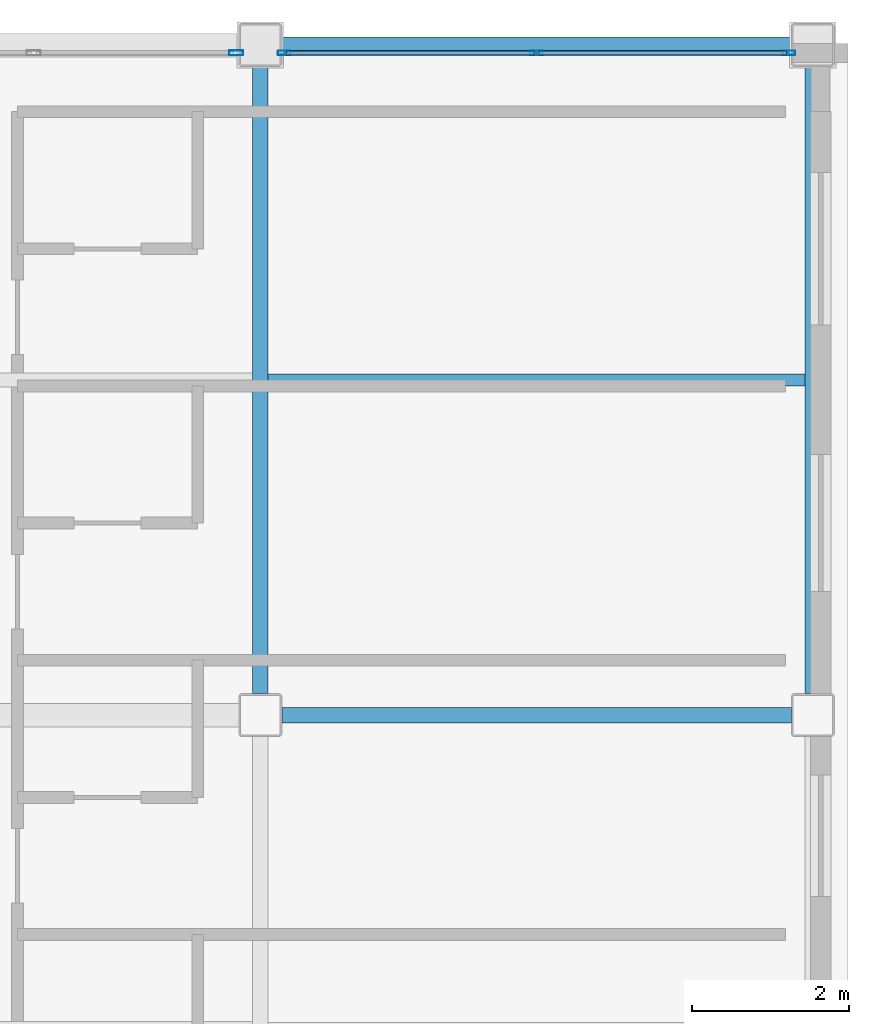
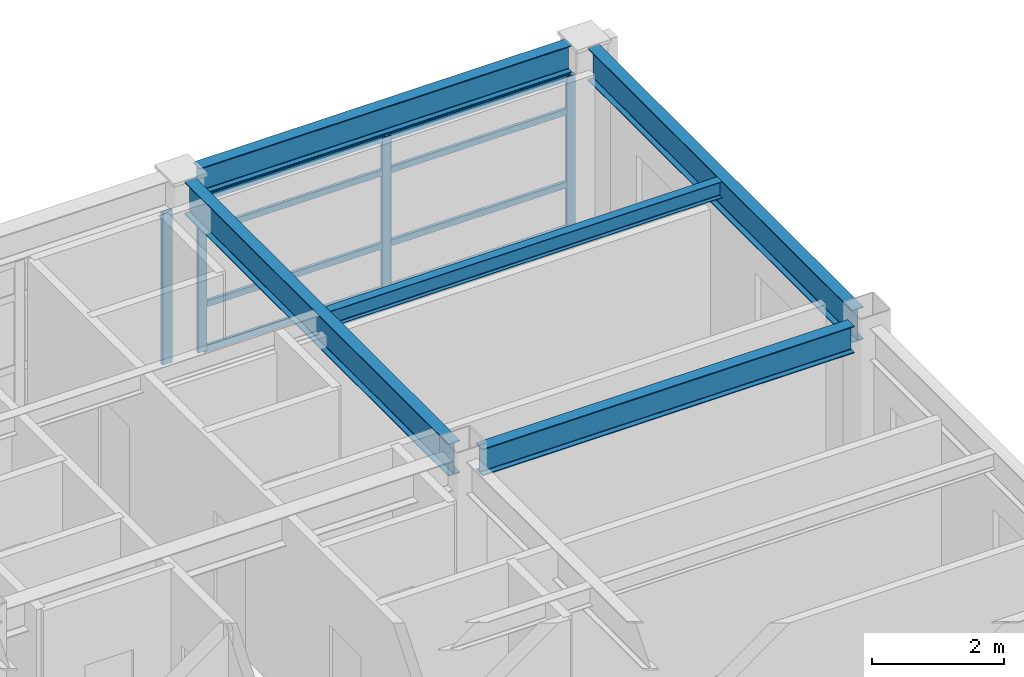
# One storey, part 21 of 36: 12 members, 5 beams, 2 elements without a shape of their own.
"""IFC4 building model written with IfcOpenShell, lengths in metres."""

from ifc_helpers import new_model, si_unit, direction, frame, origin, origin_2d, place, context, subcontext, project, spatial, hollow_rectangle, i_section, extrude, material, layer, layer_set, material_profile, profile_set, type_object, element, aggregate, save


model = new_model("IFC4")

# Units and contexts
model_context = context("Model", 3, precision=1e-05, world=origin(), true_north=direction((0.0, 1.0)))
body_context = subcontext(model_context, "Body", "Model", "MODEL_VIEW")
ifc_project = project(units=[si_unit("LENGTHUNIT", "METRE"), si_unit("AREAUNIT", "SQUARE_METRE"), si_unit("VOLUMEUNIT", "CUBIC_METRE"), si_unit("PLANEANGLEUNIT", "RADIAN"), si_unit("MASSUNIT", "GRAM", prefix="KILO")], contexts=[model_context])

# Site, building, storey
site_placement = place(None, origin())
site = spatial("IfcSite", under=ifc_project, at=site_placement, CompositionType="ELEMENT")
building_placement = place(site_placement, origin())
building = spatial("IfcBuilding", under=site, at=building_placement, Name="Kazehara Bluff Congress Hotel", CompositionType="ELEMENT")
storey_placement = place(building_placement, frame((0.0, 0.0, 28.199951171875)))
storey = spatial("IfcBuildingStorey", under=building, at=storey_placement, Name="L06", CompositionType="ELEMENT", Elevation=28.199951171875)

# Curtain wall, members
ifc_material_1 = material(Name="Anodised aluminium", Category="aluminium")
ifc_layer_1 = layer(ifc_material_1, 0.159912109375)
ifc_layer_set_1 = layer_set([ifc_layer_1], Name="Anodised aluminium")
curtain_wall_type_1 = type_object("IfcCurtainWallType", Name="TP-CW-173", PredefinedType="NOTDEFINED", material=ifc_layer_set_1)
curtain_wall_1_placement = place(storey_placement, origin())
curtain_wall_1 = element("IfcCurtainWall", 1, at=curtain_wall_1_placement, inside=storey, type_object=curtain_wall_type_1, Name="L06 curtain wall CW-173 CW-ENC-V5-L06-16402-10535", PredefinedType="NOTDEFINED")
ifc_material_2 = material(Name="Anodised aluminium", Category="aluminium")
ifc_material_profile_1 = material_profile(ifc_material_2, hollow_rectangle(XDim=0.06005859375, YDim=0.159912109375, WallThickness=0.00390625, InnerFilletRadius=0.00390625, OuterFilletRadius=0.008056640625, at=origin_2d()))
ifc_profile_set_1 = profile_set([ifc_material_profile_1], Name="Anodised aluminium")
member_type_1 = type_object("IfcMemberType", Name="TP-CWM-01", PredefinedType="MULLION", material=ifc_profile_set_1)
member_1_placement = place(storey_placement, frame((160.804931640625, 105.35009765625, 0.0), z_axis=(0.0, 0.0, 1.0), x_axis=(0.0, 1.0, 0.0)))
member_1 = element("IfcMember", 2, at=member_1_placement, type_object=member_type_1, Name="CW-173 mullion 1", PredefinedType="MULLION", context=body_context, shape_type="SweptSolid", body=[
    extrude(hollow_rectangle(XDim=0.06005859375, YDim=0.159912109375, WallThickness=0.00390625, InnerFilletRadius=0.00390625, OuterFilletRadius=0.008056640625, at=origin_2d()), origin(), (0.0, 0.0, 1.0), 2.85498046875),
])
member_2_placement = place(storey_placement, frame((164.02490234375, 105.35009765625, 0.0), z_axis=(0.0, 0.0, 1.0), x_axis=(0.0, 1.0, 0.0)))
member_2 = element("IfcMember", 3, at=member_2_placement, type_object=member_type_1, Name="CW-173 mullion 2", PredefinedType="MULLION", context=body_context, shape_type="SweptSolid", body=[
    extrude(hollow_rectangle(XDim=0.06005859375, YDim=0.159912109375, WallThickness=0.00390625, InnerFilletRadius=0.00390625, OuterFilletRadius=0.008056640625, at=origin_2d()), origin(), (0.0, 0.0, 1.0), 2.85498046875),
])
member_3_placement = place(storey_placement, frame((167.2451171875, 105.35009765625, 0.0), z_axis=(0.0, 0.0, 1.0), x_axis=(0.0, 1.0, 0.0)))
member_3 = element("IfcMember", 4, at=member_3_placement, type_object=member_type_1, Name="CW-173 mullion 3", PredefinedType="MULLION", context=body_context, shape_type="SweptSolid", body=[
    extrude(hollow_rectangle(XDim=0.06005859375, YDim=0.159912109375, WallThickness=0.00390625, InnerFilletRadius=0.00390625, OuterFilletRadius=0.008056640625, at=origin_2d()), origin(), (0.0, 0.0, 1.0), 2.85498046875),
])

# Curtain wall, member
ifc_material_3 = material(Name="Anodised aluminium", Category="aluminium")
ifc_layer_2 = layer(ifc_material_3, 0.159912109375)
ifc_layer_set_2 = layer_set([ifc_layer_2], Name="Anodised aluminium")
curtain_wall_type_2 = type_object("IfcCurtainWallType", Name="TP-CW-172", PredefinedType="NOTDEFINED", material=ifc_layer_set_2)
curtain_wall_2_placement = place(storey_placement, origin())
curtain_wall_2 = element("IfcCurtainWall", 5, at=curtain_wall_2_placement, inside=storey, type_object=curtain_wall_type_2, Name="L06 curtain wall CW-172 CW-ENC-V5-L06-15630-10535", PredefinedType="NOTDEFINED")
ifc_material_4 = material(Name="Anodised aluminium", Category="aluminium")
ifc_material_profile_2 = material_profile(ifc_material_4, hollow_rectangle(XDim=0.06494140625, YDim=0.179931640625, WallThickness=0.00390625, InnerFilletRadius=0.00390625, OuterFilletRadius=0.008056640625, at=origin_2d()))
ifc_profile_set_2 = profile_set([ifc_material_profile_2], Name="Anodised aluminium")
member_type_2 = type_object("IfcMemberType", Name="TP-CWM-02", PredefinedType="MULLION", material=ifc_profile_set_2)
member_4_placement = place(storey_placement, frame((160.1923828125, 105.35009765625, 0.0), z_axis=(0.0, 0.0, 1.0), x_axis=(0.0, 1.0, 0.0)))
member_4 = element("IfcMember", 6, at=member_4_placement, type_object=member_type_2, Name="CW-172 mullion 4", PredefinedType="MULLION", context=body_context, shape_type="SweptSolid", body=[
    extrude(hollow_rectangle(XDim=0.06494140625, YDim=0.179931640625, WallThickness=0.00390625, InnerFilletRadius=0.00390625, OuterFilletRadius=0.008056640625, at=origin_2d()), origin(), (0.0, 0.0, 1.0), 2.804931640625),
])
aggregate(curtain_wall_2, [member_4])

# Member
ifc_material_5 = material(Name="Anodised aluminium", Category="aluminium")
ifc_material_profile_3 = material_profile(ifc_material_5, hollow_rectangle(XDim=0.06005859375, YDim=0.1201171875, WallThickness=0.00390625, InnerFilletRadius=0.00390625, OuterFilletRadius=0.008056640625, at=origin_2d()))
ifc_profile_set_3 = profile_set([ifc_material_profile_3], Name="Anodised aluminium")
member_type_3 = type_object("IfcMemberType", Name="TP-CWT-01", PredefinedType="USERDEFINED", material=ifc_profile_set_3)
member_5_placement = place(storey_placement, frame((160.8349609375, 105.35009765625, 0.030029296875), z_axis=(1.0, 0.0, 0.0), x_axis=(0.0, 1.0, 0.0)))
member_5 = element("IfcMember", 7, at=member_5_placement, type_object=member_type_3, Name="CW-173 transom 1.1", ObjectType="TRANSOM", PredefinedType="USERDEFINED", context=body_context, shape_type="SweptSolid", body=[
    extrude(hollow_rectangle(XDim=0.06005859375, YDim=0.1201171875, WallThickness=0.00390625, InnerFilletRadius=0.00390625, OuterFilletRadius=0.008056640625, at=origin_2d()), origin(), (0.0, 0.0, 1.0), 3.16015625),
])

member_6_placement = place(storey_placement, frame((160.8349609375, 105.35009765625, 0.85498046875), z_axis=(1.0, 0.0, 0.0), x_axis=(0.0, 1.0, 0.0)))
member_6 = element("IfcMember", 8, at=member_6_placement, type_object=member_type_3, Name="CW-173 transom 1.2", ObjectType="TRANSOM", PredefinedType="USERDEFINED", context=body_context, shape_type="SweptSolid", body=[
    extrude(hollow_rectangle(XDim=0.06005859375, YDim=0.1201171875, WallThickness=0.00390625, InnerFilletRadius=0.00390625, OuterFilletRadius=0.008056640625, at=origin_2d()), origin(), (0.0, 0.0, 1.0), 3.16015625),
])

member_7_placement = place(storey_placement, frame((160.8349609375, 105.35009765625, 2.205078125), z_axis=(1.0, 0.0, 0.0), x_axis=(0.0, 1.0, 0.0)))
member_7 = element("IfcMember", 9, at=member_7_placement, type_object=member_type_3, Name="CW-173 transom 1.3", ObjectType="TRANSOM", PredefinedType="USERDEFINED", context=body_context, shape_type="SweptSolid", body=[
    extrude(hollow_rectangle(XDim=0.06005859375, YDim=0.1201171875, WallThickness=0.00390625, InnerFilletRadius=0.00390625, OuterFilletRadius=0.008056640625, at=origin_2d()), origin(), (0.0, 0.0, 1.0), 3.16015625),
])

member_8_placement = place(storey_placement, frame((160.8349609375, 105.35009765625, 2.824951171875), z_axis=(1.0, 0.0, 0.0), x_axis=(0.0, 1.0, 0.0)))
member_8 = element("IfcMember", 10, at=member_8_placement, type_object=member_type_3, Name="CW-173 transom 1.4", ObjectType="TRANSOM", PredefinedType="USERDEFINED", context=body_context, shape_type="SweptSolid", body=[
    extrude(hollow_rectangle(XDim=0.06005859375, YDim=0.1201171875, WallThickness=0.00390625, InnerFilletRadius=0.00390625, OuterFilletRadius=0.008056640625, at=origin_2d()), origin(), (0.0, 0.0, 1.0), 3.16015625),
])

member_9_placement = place(storey_placement, frame((164.054931640625, 105.35009765625, 0.030029296875), z_axis=(1.0, 0.0, 0.0), x_axis=(0.0, 1.0, 0.0)))
member_9 = element("IfcMember", 11, at=member_9_placement, type_object=member_type_3, Name="CW-173 transom 2.1", ObjectType="TRANSOM", PredefinedType="USERDEFINED", context=body_context, shape_type="SweptSolid", body=[
    extrude(hollow_rectangle(XDim=0.06005859375, YDim=0.1201171875, WallThickness=0.00390625, InnerFilletRadius=0.00390625, OuterFilletRadius=0.008056640625, at=origin_2d()), origin(), (0.0, 0.0, 1.0), 3.16015625),
])

member_10_placement = place(storey_placement, frame((164.054931640625, 105.35009765625, 0.85498046875), z_axis=(1.0, 0.0, 0.0), x_axis=(0.0, 1.0, 0.0)))
member_10 = element("IfcMember", 12, at=member_10_placement, type_object=member_type_3, Name="CW-173 transom 2.2", ObjectType="TRANSOM", PredefinedType="USERDEFINED", context=body_context, shape_type="SweptSolid", body=[
    extrude(hollow_rectangle(XDim=0.06005859375, YDim=0.1201171875, WallThickness=0.00390625, InnerFilletRadius=0.00390625, OuterFilletRadius=0.008056640625, at=origin_2d()), origin(), (0.0, 0.0, 1.0), 3.16015625),
])

member_11_placement = place(storey_placement, frame((164.054931640625, 105.35009765625, 2.205078125), z_axis=(1.0, 0.0, 0.0), x_axis=(0.0, 1.0, 0.0)))
member_11 = element("IfcMember", 13, at=member_11_placement, type_object=member_type_3, Name="CW-173 transom 2.3", ObjectType="TRANSOM", PredefinedType="USERDEFINED", context=body_context, shape_type="SweptSolid", body=[
    extrude(hollow_rectangle(XDim=0.06005859375, YDim=0.1201171875, WallThickness=0.00390625, InnerFilletRadius=0.00390625, OuterFilletRadius=0.008056640625, at=origin_2d()), origin(), (0.0, 0.0, 1.0), 3.16015625),
])

member_12_placement = place(storey_placement, frame((164.054931640625, 105.35009765625, 2.824951171875), z_axis=(1.0, 0.0, 0.0), x_axis=(0.0, 1.0, 0.0)))
member_12 = element("IfcMember", 14, at=member_12_placement, type_object=member_type_3, Name="CW-173 transom 2.4", ObjectType="TRANSOM", PredefinedType="USERDEFINED", context=body_context, shape_type="SweptSolid", body=[
    extrude(hollow_rectangle(XDim=0.06005859375, YDim=0.1201171875, WallThickness=0.00390625, InnerFilletRadius=0.00390625, OuterFilletRadius=0.008056640625, at=origin_2d()), origin(), (0.0, 0.0, 1.0), 3.16015625),
])

aggregate(curtain_wall_1, [member_1, member_2, member_3, member_5, member_6, member_7, member_8, member_9, member_10, member_11, member_12])

# Beams
ifc_material_6 = material(Name="Steel SN490B", Category="steel")
ifc_material_profile_4 = material_profile(ifc_material_6, i_section(OverallWidth=0.199951171875, OverallDepth=0.5, WebThickness=0.010009765625, FlangeThickness=0.01611328125, FilletRadius=0.012939453125, at=origin_2d()))
ifc_profile_set_4 = profile_set([ifc_material_profile_4], Name="Steel SN490B")
beam_type_1 = type_object("IfcBeamType", Name="TP-G-01", PredefinedType="BEAM", material=ifc_profile_set_4)
for number, where, z_axis, x_axis, name in (
    (15, (160.77490234375, 96.89990234375, 3.130126953125), (1.0, 0.0, 0.0), (0.0, 1.0, 0.0), "L06 girder G-01 78"),
    (16, (160.77490234375, 105.449951171875, 3.130126953125), (1.0, 0.0, 0.0), (0.0, 1.0, 0.0), "L06 girder G-01 81"),
):
    element("IfcBeam", number, at=place(storey_placement, frame(where, z_axis=z_axis, x_axis=x_axis)), inside=storey, type_object=beam_type_1, Name=name, PredefinedType="BEAM", context=body_context, shape_type="SweptSolid", body=[
        extrude(i_section(OverallWidth=0.199951171875, OverallDepth=0.5, WebThickness=0.010009765625, FlangeThickness=0.01611328125, FilletRadius=0.012939453125, at=origin_2d()), origin(), (0.0, 0.0, 1.0), 6.5),
    ])
ifc_material_7 = material(Name="Steel SN490B", Category="steel")
ifc_material_profile_5 = material_profile(ifc_material_7, i_section(OverallWidth=0.199951171875, OverallDepth=0.60009765625, WebThickness=0.010986328125, FlangeThickness=0.01708984375, FilletRadius=0.012939453125, at=origin_2d()))
ifc_profile_set_5 = profile_set([ifc_material_profile_5], Name="Steel SN490B")
beam_type_2 = type_object("IfcBeamType", Name="TP-G-02", PredefinedType="BEAM", material=ifc_profile_set_5)
for number, where, z_axis, x_axis, name in (
    (17, (160.5, 97.175048828125, 3.080078125), (0.0, 1.0, 0.0), (-1.0, 0.0, 0.0), "L06 girder G-02 33"),
    (18, (167.550048828125, 97.175048828125, 3.080078125), (0.0, 1.0, 0.0), (-1.0, 0.0, 0.0), "L06 girder G-02 43"),
):
    element("IfcBeam", number, at=place(storey_placement, frame(where, z_axis=z_axis, x_axis=x_axis)), inside=storey, type_object=beam_type_2, Name=name, PredefinedType="BEAM", context=body_context, shape_type="SweptSolid", body=[
        extrude(i_section(OverallWidth=0.199951171875, OverallDepth=0.60009765625, WebThickness=0.010986328125, FlangeThickness=0.01708984375, FilletRadius=0.012939453125, at=origin_2d()), origin(), (0.0, 0.0, 1.0), 8.0),
    ])
ifc_material_8 = material(Name="Steel SN400B", Category="steel")
ifc_material_profile_6 = material_profile(ifc_material_8, i_section(OverallWidth=0.14990234375, OverallDepth=0.300048828125, WebThickness=0.006591796875, FlangeThickness=0.009033203125, FilletRadius=0.012939453125, at=origin_2d()))
ifc_profile_set_6 = profile_set([ifc_material_profile_6], Name="Steel SN400B")
beam_type_3 = type_object("IfcBeamType", Name="TP-J-01", PredefinedType="JOIST", material=ifc_profile_set_6)
beam_placement = place(storey_placement, frame((160.60009765625, 101.175048828125, 3.22998046875), z_axis=(1.0, 0.0, 0.0), x_axis=(0.0, 1.0, 0.0)))
element("IfcBeam", 19, at=beam_placement, inside=storey, type_object=beam_type_3, Name="L06 secondary joist J-01 26", PredefinedType="JOIST", context=body_context, shape_type="SweptSolid", body=[
    extrude(i_section(OverallWidth=0.14990234375, OverallDepth=0.300048828125, WebThickness=0.006591796875, FlangeThickness=0.009033203125, FilletRadius=0.012939453125, at=origin_2d()), origin(), (0.0, 0.0, 1.0), 6.849853515625),
])

save(model, "model.ifc")
